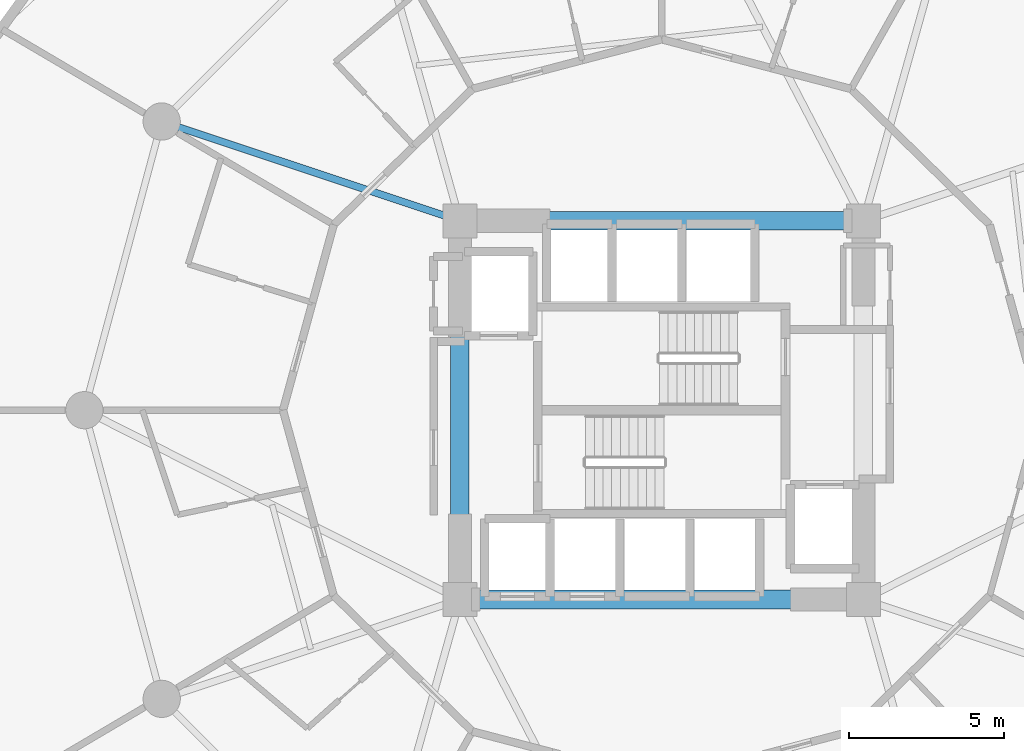
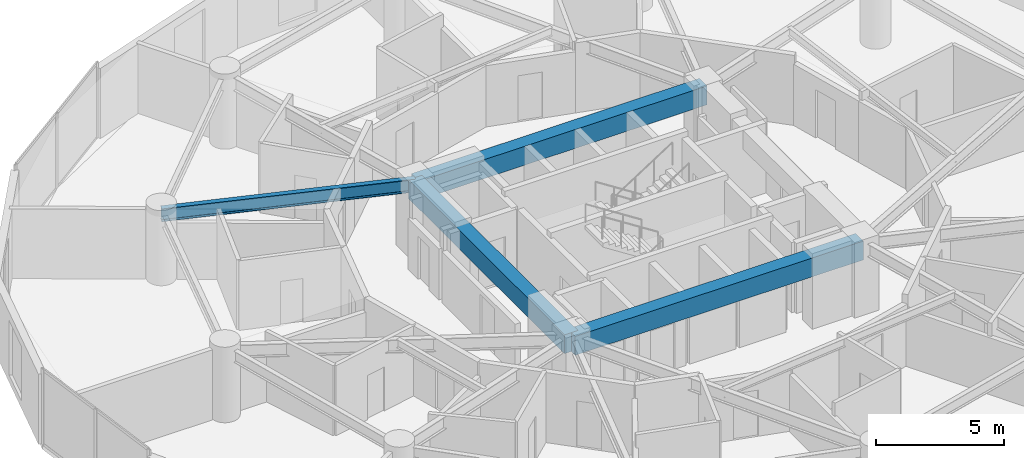
# One storey, part 7 of 26: 4 beams.
"""IFC4 building model written with IfcOpenShell, lengths in metres."""

from ifc_helpers import new_model, si_unit, direction, frame, origin, origin_2d, place, context, subcontext, project, spatial, rectangle, i_section, extrude, material, material_profile, profile_set, type_object, element, save


model = new_model("IFC4")

# Units and contexts
model_context = context("Model", 3, precision=1e-05, world=origin(), true_north=direction((0.0, 1.0)))
body_context = subcontext(model_context, "Body", "Model", "MODEL_VIEW")
ifc_project = project(units=[si_unit("LENGTHUNIT", "METRE"), si_unit("AREAUNIT", "SQUARE_METRE"), si_unit("VOLUMEUNIT", "CUBIC_METRE"), si_unit("PLANEANGLEUNIT", "RADIAN"), si_unit("MASSUNIT", "GRAM", prefix="KILO")], contexts=[model_context])

# Site, building, storey
site_placement = place(None, origin())
site = spatial("IfcSite", under=ifc_project, at=site_placement, CompositionType="ELEMENT")
building_placement = place(site_placement, origin())
building = spatial("IfcBuilding", under=site, at=building_placement, Name="Solvirekh Grand Hotel", CompositionType="ELEMENT")
storey_placement = place(building_placement, frame((0.0, 0.0, 32.0)))
storey = spatial("IfcBuildingStorey", under=building, at=storey_placement, Name="L06", CompositionType="ELEMENT", Elevation=32.0)

# Beams
ifc_material_1 = material(Name="Concrete C50/60", Category="concrete")
ifc_material_profile_1 = material_profile(ifc_material_1, rectangle(XDim=0.60009765625, YDim=0.89990234375, at=origin_2d()), Name="RC BEAM 600X900")
ifc_profile_set_1 = profile_set([ifc_material_profile_1], Name="Concrete C50/60")
beam_type_1 = type_object("IfcBeamType", Name="Beam_Core_RC900", PredefinedType="BEAM", material=ifc_profile_set_1)
for number, where, z_axis, x_axis, name in (
    (1, (-6.5, -6.10009765625, 2.889892578125), (1.0, 0.0, 0.0), (0.0, 1.0, 0.0), "L06 core coupling ring beam 1"),
    (2, (6.5, 6.10009765625, 2.889892578125), (-1.0, 0.0, 0.0), (0.0, -1.0, 0.0), "L06 core coupling ring beam 3"),
):
    element("IfcBeam", number, at=place(storey_placement, frame(where, z_axis=z_axis, x_axis=x_axis)), inside=storey, type_object=beam_type_1, Name=name, PredefinedType="BEAM", context=body_context, shape_type="SweptSolid", body=[
        extrude(rectangle(XDim=0.60009765625, YDim=0.89990234375, at=origin_2d()), origin(), (0.0, 0.0, 1.0), 13.0),
    ])
beam_1_placement = place(storey_placement, frame((-6.5, 6.10009765625, 2.889892578125), z_axis=(0.0, -1.0, 0.0), x_axis=(1.0, 0.0, 0.0)))
element("IfcBeam", 3, at=beam_1_placement, inside=storey, type_object=beam_type_1, Name="L06 core coupling ring beam 4", PredefinedType="BEAM", context=body_context, shape_type="SweptSolid", body=[
    extrude(rectangle(XDim=0.60009765625, YDim=0.89990234375, at=origin_2d()), origin(), (0.0, 0.0, 1.0), 12.2001953125),
])
ifc_material_2 = material(Name="Steel S355", Category="steel")
ifc_material_profile_2 = material_profile(ifc_material_2, i_section(OverallWidth=0.22998046875, OverallDepth=0.615966796875, WebThickness=0.013916015625, FlangeThickness=0.02392578125, FilletRadius=0.014892578125, at=origin_2d()), Name="W610X174")
ifc_profile_set_2 = profile_set([ifc_material_profile_2], Name="Steel S355")
beam_type_2 = type_object("IfcBeamType", Name="Beam_Primary_W610H", PredefinedType="BEAM", material=ifc_profile_set_2)
beam_2_placement = place(storey_placement, frame((-6.5, 6.10009765625, 3.031982421875), z_axis=(-0.948762825819, 0.315989082635, 0.0), x_axis=(-0.315989082635, -0.948762825819, 0.0)))
element("IfcBeam", 4, at=beam_2_placement, inside=storey, type_object=beam_type_2, Name="L06 radial floor beam R06", PredefinedType="BEAM", context=body_context, shape_type="SweptSolid", body=[
    extrude(i_section(OverallWidth=0.22998046875, OverallDepth=0.615966796875, WebThickness=0.013916015625, FlangeThickness=0.02392578125, FilletRadius=0.014892578125, at=origin_2d()), origin(), (0.0, 0.0, 1.0), 10.126708984375),
])

save(model, "model.ifc")
